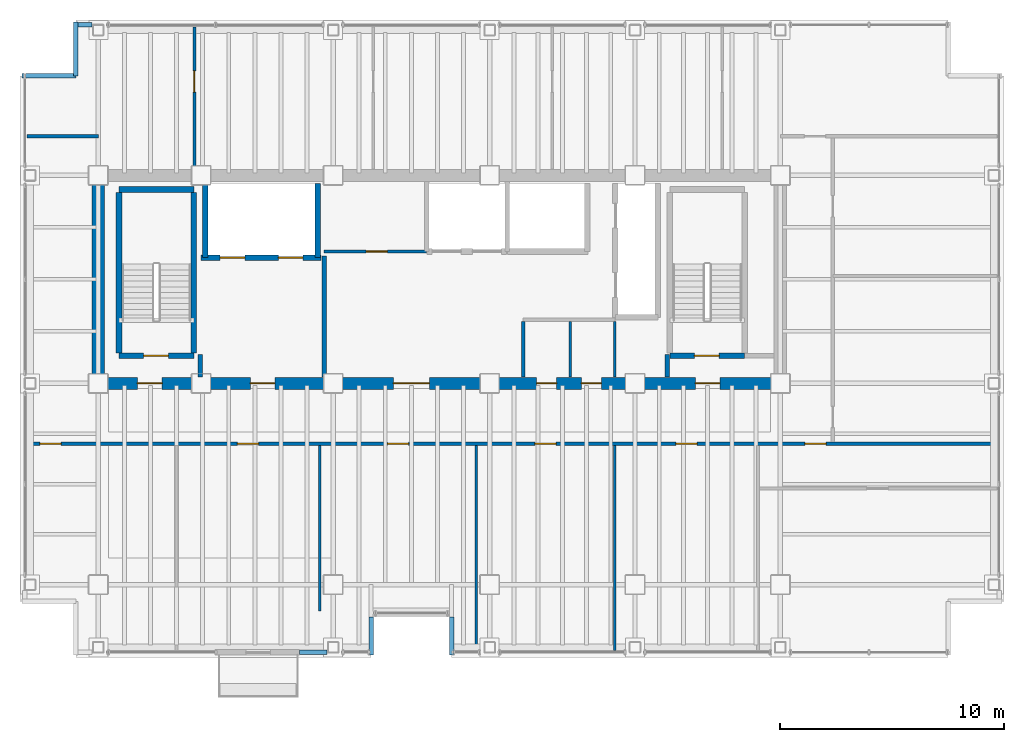
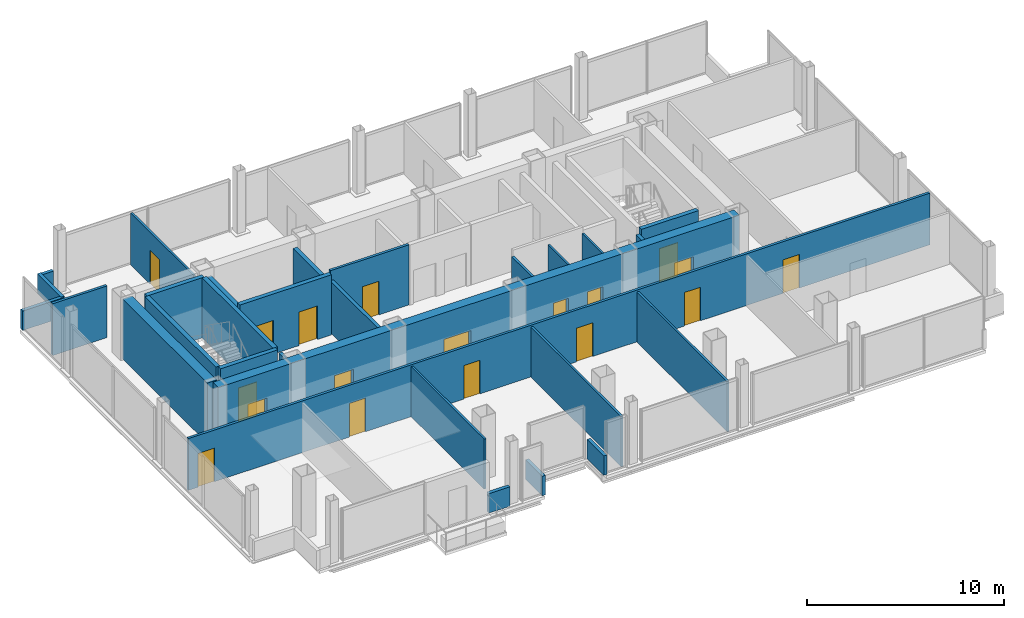
# One storey, part 13 of 15: 29 walls, 18 doors, 18 openings.
"""IFC4 building model written with IfcOpenShell, lengths in metres."""

from ifc_helpers import new_model, si_unit, direction, frame, frame_2d, origin, place, context, subcontext, project, spatial, rectangle, extrude, material, layer, layer_set, type_object, element, fill, save


model = new_model("IFC4")

# Units and contexts
model_context = context("Model", 3, precision=1e-05, world=origin(), true_north=direction((0.0, 1.0)))
body_context = subcontext(model_context, "Body", "Model", "MODEL_VIEW")
ifc_project = project(units=[si_unit("LENGTHUNIT", "METRE"), si_unit("AREAUNIT", "SQUARE_METRE"), si_unit("VOLUMEUNIT", "CUBIC_METRE"), si_unit("PLANEANGLEUNIT", "RADIAN"), si_unit("MASSUNIT", "GRAM", prefix="KILO")], contexts=[model_context])

# Site, building, storey
site_placement = place(None, origin())
site = spatial("IfcSite", under=ifc_project, at=site_placement, CompositionType="ELEMENT")
building_placement = place(site_placement, origin())
building = spatial("IfcBuilding", under=site, at=building_placement, Name="Noeulbin Bourse Tower", CompositionType="ELEMENT")
storey_placement = place(building_placement, frame((0.0, 0.0, 173.39990234375)))
storey = spatial("IfcBuildingStorey", under=building, at=storey_placement, Name="L43", CompositionType="ELEMENT", Elevation=173.39990234375)

# Wall, openings, doors
ifc_material_1 = material(Name="Concrete C60/75", Category="concrete")
ifc_layer_1 = layer(ifc_material_1, 0.550048828125)
ifc_layer_set_1 = layer_set([ifc_layer_1], Name="Concrete C60/75")
wall_type_1 = type_object("IfcWallType", Name="WAL-CORE-550", PredefinedType="SHEAR", material=ifc_layer_set_1)
wall_1_placement = place(storey_placement, frame((13.5, 29.0, 0.0), z_axis=(0.0, 0.0, 1.0), x_axis=(1.0, 0.0, 0.0)))
wall_1 = element("IfcWall", 1, at=wall_1_placement, inside=storey, type_object=wall_type_1, Name="Rear Core South Shear Wall L43", PredefinedType="SHEAR", context=body_context, shape_type="SweptSolid", body=[
    extrude(rectangle(XDim=30.5, YDim=0.550048828125, at=frame_2d((15.25, 0.0))), origin(), (0.0, 0.0, 1.0), 3.72021484375),
])
opening_1_placement = place(wall_1_placement, frame((1.75, 0.0, 0.0)))
opening_1 = element("IfcOpeningElement", 2, at=opening_1_placement, cuts=wall_1, Name="Opening FD-11", PredefinedType="OPENING", context=body_context, shape_type="SweptSolid", body=[
    extrude(rectangle(XDim=1.10009765625, YDim=2.080078125, at=frame_2d((0.550048828125, 1.0400390625))), frame((0.0, 0.284912109375, 0.0), z_axis=(0.0, -1.0, 0.0), x_axis=(1.0, 0.0, 0.0)), (0.0, 0.0, 1.0), 0.570068359375),
])
opening_2_placement = place(wall_1_placement, frame((26.699951171875, 0.0, 0.0)))
opening_2 = element("IfcOpeningElement", 3, at=opening_2_placement, cuts=wall_1, Name="Opening FD-11", PredefinedType="OPENING", context=body_context, shape_type="SweptSolid", body=[
    extrude(rectangle(XDim=1.10009765625, YDim=2.080078125, at=frame_2d((0.550048828125, 1.0400390625))), frame((0.0, 0.284912109375, 0.0), z_axis=(0.0, -1.0, 0.0), x_axis=(1.0, 0.0, 0.0)), (0.0, 0.0, 1.0), 0.570068359375),
])
opening_3_placement = place(wall_1_placement, frame((6.800048828125, 0.0, 0.0)))
opening_3 = element("IfcOpeningElement", 4, at=opening_3_placement, cuts=wall_1, Name="Opening FD-11", PredefinedType="OPENING", context=body_context, shape_type="SweptSolid", body=[
    extrude(rectangle(XDim=1.10009765625, YDim=2.080078125, at=frame_2d((0.550048828125, 1.0400390625))), frame((0.0, 0.284912109375, 0.0), z_axis=(0.0, -1.0, 0.0), x_axis=(1.0, 0.0, 0.0)), (0.0, 0.0, 1.0), 0.570068359375),
])
opening_4_placement = place(wall_1_placement, frame((13.199951171875, 0.0, 0.0)))
opening_4 = element("IfcOpeningElement", 5, at=opening_4_placement, cuts=wall_1, Name="Opening ID-16", PredefinedType="OPENING", context=body_context, shape_type="SweptSolid", body=[
    extrude(rectangle(XDim=1.60009765625, YDim=2.080078125, at=frame_2d((0.800048828125, 1.0400390625))), frame((0.0, 0.284912109375, 0.0), z_axis=(0.0, -1.0, 0.0), x_axis=(1.0, 0.0, 0.0)), (0.0, 0.0, 1.0), 0.570068359375),
])
opening_5_placement = place(wall_1_placement, frame((19.60009765625, 0.0, 0.0)))
opening_5 = element("IfcOpeningElement", 6, at=opening_5_placement, cuts=wall_1, Name="Opening FD-09", PredefinedType="OPENING", context=body_context, shape_type="SweptSolid", body=[
    extrude(rectangle(XDim=0.89990234375, YDim=2.080078125, at=frame_2d((0.449951171875, 1.0400390625))), frame((0.0, 0.284912109375, 0.0), z_axis=(0.0, -1.0, 0.0), x_axis=(1.0, 0.0, 0.0)), (0.0, 0.0, 1.0), 0.570068359375),
])
opening_6_placement = place(wall_1_placement, frame((21.60009765625, 0.0, 0.0)))
opening_6 = element("IfcOpeningElement", 7, at=opening_6_placement, cuts=wall_1, Name="Opening FD-09", PredefinedType="OPENING", context=body_context, shape_type="SweptSolid", body=[
    extrude(rectangle(XDim=0.89990234375, YDim=2.080078125, at=frame_2d((0.449951171875, 1.0400390625))), frame((0.0, 0.284912109375, 0.0), z_axis=(0.0, -1.0, 0.0), x_axis=(1.0, 0.0, 0.0)), (0.0, 0.0, 1.0), 0.570068359375),
])
ifc_material_2 = material(Name="Acoustic Glazed Aluminium", Category="aluminium")
door_type_1 = type_object("IfcDoorType", Name="DR-DBL-1600", OperationType="DOUBLE_DOOR_SINGLE_SWING", PredefinedType="DOOR", material=ifc_material_2)
door_1_placement = place(opening_4_placement, origin())
door_1 = element("IfcDoor", 8, at=door_1_placement, inside=storey, type_object=door_type_1, Name="Passenger Lift Lobby Portal L43", OperationType="DOUBLE_DOOR_SINGLE_SWING", OverallHeight=2.080078125, OverallWidth=1.60009765625, PredefinedType="DOOR", context=body_context, shape_type="SweptSolid", body=[
    extrude(rectangle(XDim=1.60009765625, YDim=2.080078125, at=frame_2d((0.800048828125, 1.0400390625))), frame((0.0, 0.02490234375, 0.0), z_axis=(0.0, -1.0, 0.0), x_axis=(1.0, 0.0, 0.0)), (0.0, 0.0, 1.0), 0.050048828125),
])
fill(opening_4, door_1)
ifc_material_3 = material(Name="Fire-Rated Timber Core", Category="wood")
door_type_2 = type_object("IfcDoorType", Name="DR-FD30-900", OperationType="SINGLE_SWING_RIGHT", PredefinedType="DOOR", material=ifc_material_3)
door_2_placement = place(opening_5_placement, origin())
door_2 = element("IfcDoor", 9, at=door_2_placement, inside=storey, type_object=door_type_2, Name="Interior Door L43-06", OperationType="SINGLE_SWING_RIGHT", OverallHeight=2.080078125, OverallWidth=0.89990234375, PredefinedType="DOOR", context=body_context, shape_type="SweptSolid", body=[
    extrude(rectangle(XDim=0.89990234375, YDim=2.080078125, at=frame_2d((0.449951171875, 1.0400390625))), frame((0.0, 0.02490234375, 0.0), z_axis=(0.0, -1.0, 0.0), x_axis=(1.0, 0.0, 0.0)), (0.0, 0.0, 1.0), 0.050048828125),
])
fill(opening_5, door_2)
door_3_placement = place(opening_6_placement, origin())
door_3 = element("IfcDoor", 10, at=door_3_placement, inside=storey, type_object=door_type_2, Name="Interior Door L43-07", OperationType="SINGLE_SWING_LEFT", OverallHeight=2.080078125, OverallWidth=0.89990234375, PredefinedType="DOOR", context=body_context, shape_type="SweptSolid", body=[
    extrude(rectangle(XDim=0.89990234375, YDim=2.080078125, at=frame_2d((0.449951171875, 1.0400390625))), frame((0.0, 0.02490234375, 0.0), z_axis=(0.0, -1.0, 0.0), x_axis=(1.0, 0.0, 0.0)), (0.0, 0.0, 1.0), 0.050048828125),
])
fill(opening_6, door_3)
ifc_material_4 = material(Name="Fire-Rated Insulated Steel", Category="steel")
door_type_3 = type_object("IfcDoorType", Name="DR-FD60-1100", OperationType="SINGLE_SWING_LEFT", PredefinedType="DOOR", material=ifc_material_4)
door_4_placement = place(opening_1_placement, origin())
door_4 = element("IfcDoor", 11, at=door_4_placement, inside=storey, type_object=door_type_3, Name="West Stair Lobby Door L43", OperationType="SINGLE_SWING_LEFT", OverallHeight=2.080078125, OverallWidth=1.10009765625, PredefinedType="DOOR", context=body_context, shape_type="SweptSolid", body=[
    extrude(rectangle(XDim=1.10009765625, YDim=2.080078125, at=frame_2d((0.550048828125, 1.0400390625))), frame((0.0, 0.02490234375, 0.0), z_axis=(0.0, -1.0, 0.0), x_axis=(1.0, 0.0, 0.0)), (0.0, 0.0, 1.0), 0.050048828125),
])
fill(opening_1, door_4)
door_5_placement = place(opening_2_placement, origin())
door_5 = element("IfcDoor", 12, at=door_5_placement, inside=storey, type_object=door_type_3, Name="East Stair Lobby Door L43", OperationType="SINGLE_SWING_RIGHT", OverallHeight=2.080078125, OverallWidth=1.10009765625, PredefinedType="DOOR", context=body_context, shape_type="SweptSolid", body=[
    extrude(rectangle(XDim=1.10009765625, YDim=2.080078125, at=frame_2d((0.550048828125, 1.0400390625))), frame((0.0, 0.02490234375, 0.0), z_axis=(0.0, -1.0, 0.0), x_axis=(1.0, 0.0, 0.0)), (0.0, 0.0, 1.0), 0.050048828125),
])
fill(opening_2, door_5)
door_6_placement = place(opening_3_placement, origin())
door_6 = element("IfcDoor", 13, at=door_6_placement, inside=storey, type_object=door_type_3, Name="Firefighting Lobby Door L43", OperationType="SINGLE_SWING_LEFT", OverallHeight=2.080078125, OverallWidth=1.10009765625, PredefinedType="DOOR", context=body_context, shape_type="SweptSolid", body=[
    extrude(rectangle(XDim=1.10009765625, YDim=2.080078125, at=frame_2d((0.550048828125, 1.0400390625))), frame((0.0, 0.02490234375, 0.0), z_axis=(0.0, -1.0, 0.0), x_axis=(1.0, 0.0, 0.0)), (0.0, 0.0, 1.0), 0.050048828125),
])
fill(opening_3, door_6)

# Walls
wall_2_placement = place(storey_placement, frame((13.5, 29.35009765625, 0.0), z_axis=(0.0, 0.0, 1.0), x_axis=(0.0, 1.0, 0.0)))
element("IfcWall", 14, at=wall_2_placement, inside=storey, type_object=wall_type_1, Name="Rear Core West Shear Wall L43", PredefinedType="SHEAR", context=body_context, shape_type="SweptSolid", body=[
    extrude(rectangle(XDim=8.599853515625, YDim=0.550048828125, at=frame_2d((4.2998046875, 0.0))), origin(), (0.0, 0.0, 1.0), 3.72021484375),
])
ifc_material_5 = material(Name="Concrete C40/50", Category="concrete")
ifc_layer_2 = layer(ifc_material_5, 0.199951171875)
ifc_layer_set_2 = layer_set([ifc_layer_2], Name="Concrete C40/50")
wall_type_2 = type_object("IfcWallType", Name="WAL-FIRE-200", PredefinedType="STANDARD", material=ifc_layer_set_2)
for number, where, z_axis, x_axis, name in (
    (15, (18.050048828125, 29.284912109375, 0.0), (0.0, 0.0, 1.0), (0.0, 1.0, 0.0), "Interior Partition Wall L43-09"),
    (16, (38.949951171875, 29.284912109375, 0.0), (0.0, 0.0, 1.0), (0.0, 1.0, 0.0), "Interior Partition Wall L43-10"),
):
    element("IfcWall", number, at=place(storey_placement, frame(where, z_axis=z_axis, x_axis=x_axis)), inside=storey, type_object=wall_type_2, Name=name, PredefinedType="STANDARD", context=body_context, shape_type="SweptSolid", body=[
        extrude(rectangle(XDim=1.01513671875, YDim=0.199951171875, at=frame_2d((0.507568359375, 0.0))), origin(), (0.0, 0.0, 1.0), 3.35009765625),
    ])
wall_3_placement = place(storey_placement, frame((23.60009765625, 29.284912109375, 0.0), z_axis=(0.0, 0.0, 1.0), x_axis=(0.0, 1.0, 0.0)))
element("IfcWall", 17, at=wall_3_placement, inside=storey, type_object=wall_type_2, Name="Interior Partition Wall L43-11", PredefinedType="STANDARD", context=body_context, shape_type="SweptSolid", body=[
    extrude(rectangle(XDim=5.4150390625, YDim=0.199951171875, at=frame_2d((2.70751953125, 0.0))), origin(), (0.0, 0.0, 1.0), 3.2001953125),
])
ifc_layer_3 = layer(ifc_material_5, 0.199951171875)
ifc_layer_set_3 = layer_set([ifc_layer_3], Name="Concrete C40/50")
wall_type_3 = type_object("IfcWallType", Name="WAL-PAR-200", PredefinedType="PARAPET", material=ifc_layer_set_3)
wall_4_placement = place(storey_placement, frame((12.60009765625, 45.030029296875, 0.0), z_axis=(0.0, 0.0, 1.0), x_axis=(1.0, 0.0, 0.0)))
element("IfcWall", 18, at=wall_4_placement, inside=storey, type_object=wall_type_3, Name="Perimeter Pier Spandrel Parapet L43-N1", PredefinedType="PARAPET", context=body_context, shape_type="SweptSolid", body=[
    extrude(rectangle(XDim=0.6298828125, YDim=0.199951171875, at=frame_2d((0.31494140625, 0.0))), origin(), (0.0, 0.0, 1.0), 1.2001953125),
])
wall_5_placement = place(storey_placement, frame((22.5, 16.969970703125, 0.0), z_axis=(0.0, 0.0, 1.0), x_axis=(1.0, 0.0, 0.0)))
element("IfcWall", 19, at=wall_5_placement, inside=storey, type_object=wall_type_3, Name="Perimeter Pier Spandrel Parapet L43-S5", PredefinedType="PARAPET", context=body_context, shape_type="SweptSolid", body=[
    extrude(rectangle(XDim=1.22998046875, YDim=0.199951171875, at=frame_2d((0.614990234375, 0.0))), origin(), (0.0, 0.0, 1.0), 1.2001953125),
])
for number, where, z_axis, x_axis, name in (
    (20, (10.10009765625, 42.75, 0.0), (0.0, 0.0, 1.0), (1.0, 0.0, 0.0), "Corner Notch Parapet L43-NW1"),
    (21, (12.5, 42.75, 0.0), (0.0, 0.0, 1.0), (0.0, 1.0, 0.0), "Corner Notch Parapet L43-NW2"),
):
    element("IfcWall", number, at=place(storey_placement, frame(where, z_axis=z_axis, x_axis=x_axis)), inside=storey, type_object=wall_type_3, Name=name, PredefinedType="PARAPET", context=body_context, shape_type="SweptSolid", body=[
        extrude(rectangle(XDim=2.39990234375, YDim=0.199951171875, at=frame_2d((1.199951171875, 0.0))), origin(), (0.0, 0.0, 1.0), 1.2001953125),
    ])
for number, where, z_axis, x_axis, name in (
    (22, (25.699951171875, 16.85009765625, 0.0), (0.0, 0.0, 1.0), (0.0, 1.0, 0.0), "Sky-Garden Recess Parapet L43-W"),
    (23, (29.300048828125, 18.550048828125, 0.0), (0.0, 0.0, 1.0), (0.0, -1.0, 0.0), "Sky-Garden Recess Parapet L43-E"),
):
    element("IfcWall", number, at=place(storey_placement, frame(where, z_axis=z_axis, x_axis=x_axis)), inside=storey, type_object=wall_type_3, Name=name, PredefinedType="PARAPET", context=body_context, shape_type="SweptSolid", body=[
        extrude(rectangle(XDim=1.699951171875, YDim=0.199951171875, at=frame_2d((0.85009765625, 0.0))), origin(), (0.0, 0.0, 1.0), 1.2001953125),
    ])
ifc_material_6 = material(Name="Steel Stud Gypsum Partition", Category="steel")
ifc_layer_4 = layer(ifc_material_6, 0.1201171875)
ifc_layer_set_4 = layer_set([ifc_layer_4], Name="Steel Stud Gypsum Partition")
wall_type_4 = type_object("IfcWallType", Name="WAL-PRT-120", PredefinedType="PARTITIONING", material=ifc_layer_set_4)
for number, where, z_axis, x_axis, name in (
    (24, (36.60009765625, 29.284912109375, 0.0), (0.0, 0.0, 1.0), (0.0, 1.0, 0.0), "Interior Partition Wall L43-13"),
    (25, (34.60009765625, 29.284912109375, 0.0), (0.0, 0.0, 1.0), (0.0, 1.0, 0.0), "Interior Partition Wall L43-14"),
):
    element("IfcWall", number, at=place(storey_placement, frame(where, z_axis=z_axis, x_axis=x_axis)), inside=storey, type_object=wall_type_4, Name=name, PredefinedType="PARTITIONING", context=body_context, shape_type="SweptSolid", body=[
        extrude(rectangle(XDim=2.47998046875, YDim=0.1201171875, at=frame_2d((1.239990234375, 0.0))), origin(), (0.0, 0.0, 1.0), 3.35009765625),
    ])
wall_6_placement = place(storey_placement, frame((23.39990234375, 18.820068359375, 0.0), z_axis=(0.0, 0.0, 1.0), x_axis=(0.0, 1.0, 0.0)))
element("IfcWall", 26, at=wall_6_placement, inside=storey, type_object=wall_type_4, Name="Interior Partition Wall L43-17", PredefinedType="PARTITIONING", context=body_context, shape_type="SweptSolid", body=[
    extrude(rectangle(XDim=7.39501953125, YDim=0.1201171875, at=frame_2d((3.697509765625, 0.0))), origin(), (0.0, 0.0, 1.0), 3.10009765625),
])
for number, where, z_axis, x_axis, name in (
    (27, (30.39990234375, 17.06005859375, 0.0), (0.0, 0.0, 1.0), (0.0, 1.0, 0.0), "Interior Partition Wall L43-18"),
    (28, (36.60009765625, 17.06005859375, 0.0), (0.0, 0.0, 1.0), (0.0, 1.0, 0.0), "Interior Partition Wall L43-19"),
):
    element("IfcWall", number, at=place(storey_placement, frame(where, z_axis=z_axis, x_axis=x_axis)), inside=storey, type_object=wall_type_4, Name=name, PredefinedType="PARTITIONING", context=body_context, shape_type="SweptSolid", body=[
        extrude(rectangle(XDim=9.155029296875, YDim=0.1201171875, at=frame_2d((4.57763671875, 0.0))), origin(), (0.0, 0.0, 1.0), 3.10009765625),
    ])

# Wall, opening, door
wall_7_placement = place(storey_placement, frame((17.800048828125, 38.5849609375, 0.0), z_axis=(0.0, 0.0, 1.0), x_axis=(0.0, 1.0, 0.0)))
wall_7 = element("IfcWall", 29, at=wall_7_placement, inside=storey, type_object=wall_type_4, Name="Interior Partition Wall L43-21", PredefinedType="PARTITIONING", context=body_context, shape_type="SweptSolid", body=[
    extrude(rectangle(XDim=6.35498046875, YDim=0.1201171875, at=frame_2d((3.177490234375, 0.0))), origin(), (0.0, 0.0, 1.0), 3.212158203125),
])
opening_7_placement = place(wall_7_placement, frame((3.43505859375, 0.0, 0.0)))
opening_7 = element("IfcOpeningElement", 30, at=opening_7_placement, cuts=wall_7, Name="Opening ID-09", PredefinedType="OPENING", context=body_context, shape_type="SweptSolid", body=[
    extrude(rectangle(XDim=0.949951171875, YDim=2.080078125, at=frame_2d((0.47509765625, 1.0400390625))), frame((0.0, 0.070068359375, 0.0), z_axis=(0.0, -1.0, 0.0), x_axis=(1.0, 0.0, 0.0)), (0.0, 0.0, 1.0), 0.14013671875),
])
ifc_material_7 = material(Name="Acoustic Solid-Core Timber", Category="wood")
door_type_4 = type_object("IfcDoorType", Name="DR-SINGLE-950", OperationType="SINGLE_SWING_LEFT", PredefinedType="DOOR", material=ifc_material_7)
door_7_placement = place(opening_7_placement, origin())
door_7 = element("IfcDoor", 31, at=door_7_placement, inside=storey, type_object=door_type_4, Name="Interior Door L43-18", OperationType="SINGLE_SWING_RIGHT", OverallHeight=2.080078125, OverallWidth=0.949951171875, PredefinedType="DOOR", context=body_context, shape_type="SweptSolid", body=[
    extrude(rectangle(XDim=0.949951171875, YDim=2.080078125, at=frame_2d((0.47509765625, 1.0400390625))), frame((0.0, 0.02490234375, 0.0), z_axis=(0.0, -1.0, 0.0), x_axis=(1.0, 0.0, 0.0)), (0.0, 0.0, 1.0), 0.050048828125),
])
fill(opening_7, door_7)

ifc_material_8 = material(Name="Steel Stud Acoustic Gypsum Board", Category="steel")
ifc_layer_5 = layer(ifc_material_8, 0.14990234375)
ifc_layer_set_5 = layer_set([ifc_layer_5], Name="Steel Stud Acoustic Gypsum Board")
wall_type_5 = type_object("IfcWallType", Name="WAL-PRT-150", PredefinedType="PARTITIONING", material=ifc_layer_set_5)
wall_8_placement = place(storey_placement, frame((23.60009765625, 34.89990234375, 0.0), z_axis=(0.0, 0.0, 1.0), x_axis=(1.0, 0.0, 0.0)))
wall_8 = element("IfcWall", 32, at=wall_8_placement, inside=storey, type_object=wall_type_5, Name="Interior Partition Wall L43-02", PredefinedType="PARTITIONING", context=body_context, shape_type="SweptSolid", body=[
    extrude(rectangle(XDim=4.579833984375, YDim=0.14990234375, at=frame_2d((2.2900390625, 0.0))), origin(), (0.0, 0.0, 1.0), 3.72021484375),
])
opening_8_placement = place(wall_8_placement, frame((1.875, 0.0, 0.0)))
opening_8 = element("IfcOpeningElement", 33, at=opening_8_placement, cuts=wall_8, Name="Opening ID-09", PredefinedType="OPENING", context=body_context, shape_type="SweptSolid", body=[
    extrude(rectangle(XDim=0.949951171875, YDim=2.080078125, at=frame_2d((0.47509765625, 1.0400390625))), frame((0.0, 0.0849609375, 0.0), z_axis=(0.0, -1.0, 0.0), x_axis=(1.0, 0.0, 0.0)), (0.0, 0.0, 1.0), 0.169921875),
])
door_8_placement = place(opening_8_placement, origin())
door_8 = element("IfcDoor", 34, at=door_8_placement, inside=storey, type_object=door_type_4, Name="Archive Room Door L43", OperationType="SINGLE_SWING_LEFT", OverallHeight=2.080078125, OverallWidth=0.949951171875, PredefinedType="DOOR", context=body_context, shape_type="SweptSolid", body=[
    extrude(rectangle(XDim=0.949951171875, YDim=2.080078125, at=frame_2d((0.47509765625, 1.0400390625))), frame((0.0, 0.02490234375, 0.0), z_axis=(0.0, -1.0, 0.0), x_axis=(1.0, 0.0, 0.0)), (0.0, 0.0, 1.0), 0.050048828125),
])
fill(opening_8, door_8)

# Wall, openings, doors
wall_9_placement = place(storey_placement, frame((10.31005859375, 26.300048828125, 0.0), z_axis=(0.0, 0.0, 1.0), x_axis=(1.0, 0.0, 0.0)))
wall_9 = element("IfcWall", 35, at=wall_9_placement, inside=storey, type_object=wall_type_5, Name="Interior Partition Wall L43-04", PredefinedType="PARTITIONING", context=body_context, shape_type="SweptSolid", body=[
    extrude(rectangle(XDim=43.3798828125, YDim=0.14990234375, at=frame_2d((21.68994140625, 0.0))), origin(), (0.0, 0.0, 1.0), 3.2001953125),
])
opening_9_placement = place(wall_9_placement, frame((0.574951171875, 0.0, 0.0)))
opening_9 = element("IfcOpeningElement", 36, at=opening_9_placement, cuts=wall_9, Name="Opening ID-09", PredefinedType="OPENING", context=body_context, shape_type="SweptSolid", body=[
    extrude(rectangle(XDim=0.949951171875, YDim=2.080078125, at=frame_2d((0.47509765625, 1.0400390625))), frame((0.0, 0.0849609375, 0.0), z_axis=(0.0, -1.0, 0.0), x_axis=(1.0, 0.0, 0.0)), (0.0, 0.0, 1.0), 0.169921875),
])
opening_10_placement = place(wall_9_placement, frame((9.4150390625, 0.0, 0.0)))
opening_10 = element("IfcOpeningElement", 37, at=opening_10_placement, cuts=wall_9, Name="Opening ID-09", PredefinedType="OPENING", context=body_context, shape_type="SweptSolid", body=[
    extrude(rectangle(XDim=0.949951171875, YDim=2.080078125, at=frame_2d((0.47509765625, 1.0400390625))), frame((0.0, 0.0849609375, 0.0), z_axis=(0.0, -1.0, 0.0), x_axis=(1.0, 0.0, 0.0)), (0.0, 0.0, 1.0), 0.169921875),
])
opening_11_placement = place(wall_9_placement, frame((16.114990234375, 0.0, 0.0)))
opening_11 = element("IfcOpeningElement", 38, at=opening_11_placement, cuts=wall_9, Name="Opening ID-09", PredefinedType="OPENING", context=body_context, shape_type="SweptSolid", body=[
    extrude(rectangle(XDim=0.949951171875, YDim=2.080078125, at=frame_2d((0.47509765625, 1.0400390625))), frame((0.0, 0.0849609375, 0.0), z_axis=(0.0, -1.0, 0.0), x_axis=(1.0, 0.0, 0.0)), (0.0, 0.0, 1.0), 0.169921875),
])
opening_12_placement = place(wall_9_placement, frame((22.715087890625, 0.0, 0.0)))
opening_12 = element("IfcOpeningElement", 39, at=opening_12_placement, cuts=wall_9, Name="Opening ID-09", PredefinedType="OPENING", context=body_context, shape_type="SweptSolid", body=[
    extrude(rectangle(XDim=0.949951171875, YDim=2.080078125, at=frame_2d((0.47509765625, 1.0400390625))), frame((0.0, 0.0849609375, 0.0), z_axis=(0.0, -1.0, 0.0), x_axis=(1.0, 0.0, 0.0)), (0.0, 0.0, 1.0), 0.169921875),
])
opening_13_placement = place(wall_9_placement, frame((29.014892578125, 0.0, 0.0)))
opening_13 = element("IfcOpeningElement", 40, at=opening_13_placement, cuts=wall_9, Name="Opening ID-09", PredefinedType="OPENING", context=body_context, shape_type="SweptSolid", body=[
    extrude(rectangle(XDim=0.949951171875, YDim=2.080078125, at=frame_2d((0.47509765625, 1.0400390625))), frame((0.0, 0.0849609375, 0.0), z_axis=(0.0, -1.0, 0.0), x_axis=(1.0, 0.0, 0.0)), (0.0, 0.0, 1.0), 0.169921875),
])
opening_14_placement = place(wall_9_placement, frame((34.7900390625, 0.0, 0.0)))
opening_14 = element("IfcOpeningElement", 41, at=opening_14_placement, cuts=wall_9, Name="Opening ID-09", PredefinedType="OPENING", context=body_context, shape_type="SweptSolid", body=[
    extrude(rectangle(XDim=0.949951171875, YDim=2.080078125, at=frame_2d((0.47509765625, 1.0400390625))), frame((0.0, 0.0849609375, 0.0), z_axis=(0.0, -1.0, 0.0), x_axis=(1.0, 0.0, 0.0)), (0.0, 0.0, 1.0), 0.169921875),
])
door_9_placement = place(opening_9_placement, origin())
door_9 = element("IfcDoor", 42, at=door_9_placement, inside=storey, type_object=door_type_4, Name="Interior Door L43-08", OperationType="SINGLE_SWING_RIGHT", OverallHeight=2.080078125, OverallWidth=0.949951171875, PredefinedType="DOOR", context=body_context, shape_type="SweptSolid", body=[
    extrude(rectangle(XDim=0.949951171875, YDim=2.080078125, at=frame_2d((0.47509765625, 1.0400390625))), frame((0.0, 0.02490234375, 0.0), z_axis=(0.0, -1.0, 0.0), x_axis=(1.0, 0.0, 0.0)), (0.0, 0.0, 1.0), 0.050048828125),
])
fill(opening_9, door_9)
door_10_placement = place(opening_10_placement, origin())
door_10 = element("IfcDoor", 43, at=door_10_placement, inside=storey, type_object=door_type_4, Name="Interior Door L43-09", OperationType="SINGLE_SWING_LEFT", OverallHeight=2.080078125, OverallWidth=0.949951171875, PredefinedType="DOOR", context=body_context, shape_type="SweptSolid", body=[
    extrude(rectangle(XDim=0.949951171875, YDim=2.080078125, at=frame_2d((0.47509765625, 1.0400390625))), frame((0.0, 0.02490234375, 0.0), z_axis=(0.0, -1.0, 0.0), x_axis=(1.0, 0.0, 0.0)), (0.0, 0.0, 1.0), 0.050048828125),
])
fill(opening_10, door_10)
door_11_placement = place(opening_11_placement, origin())
door_11 = element("IfcDoor", 44, at=door_11_placement, inside=storey, type_object=door_type_4, Name="Interior Door L43-10", OperationType="SINGLE_SWING_RIGHT", OverallHeight=2.080078125, OverallWidth=0.949951171875, PredefinedType="DOOR", context=body_context, shape_type="SweptSolid", body=[
    extrude(rectangle(XDim=0.949951171875, YDim=2.080078125, at=frame_2d((0.47509765625, 1.0400390625))), frame((0.0, 0.02490234375, 0.0), z_axis=(0.0, -1.0, 0.0), x_axis=(1.0, 0.0, 0.0)), (0.0, 0.0, 1.0), 0.050048828125),
])
fill(opening_11, door_11)
door_12_placement = place(opening_12_placement, origin())
door_12 = element("IfcDoor", 45, at=door_12_placement, inside=storey, type_object=door_type_4, Name="Interior Door L43-11", OperationType="SINGLE_SWING_LEFT", OverallHeight=2.080078125, OverallWidth=0.949951171875, PredefinedType="DOOR", context=body_context, shape_type="SweptSolid", body=[
    extrude(rectangle(XDim=0.949951171875, YDim=2.080078125, at=frame_2d((0.47509765625, 1.0400390625))), frame((0.0, 0.02490234375, 0.0), z_axis=(0.0, -1.0, 0.0), x_axis=(1.0, 0.0, 0.0)), (0.0, 0.0, 1.0), 0.050048828125),
])
fill(opening_12, door_12)
door_13_placement = place(opening_13_placement, origin())
door_13 = element("IfcDoor", 46, at=door_13_placement, inside=storey, type_object=door_type_4, Name="Interior Door L43-12", OperationType="SINGLE_SWING_RIGHT", OverallHeight=2.080078125, OverallWidth=0.949951171875, PredefinedType="DOOR", context=body_context, shape_type="SweptSolid", body=[
    extrude(rectangle(XDim=0.949951171875, YDim=2.080078125, at=frame_2d((0.47509765625, 1.0400390625))), frame((0.0, 0.02490234375, 0.0), z_axis=(0.0, -1.0, 0.0), x_axis=(1.0, 0.0, 0.0)), (0.0, 0.0, 1.0), 0.050048828125),
])
fill(opening_13, door_13)
door_14_placement = place(opening_14_placement, origin())
door_14 = element("IfcDoor", 47, at=door_14_placement, inside=storey, type_object=door_type_4, Name="Interior Door L43-14", OperationType="SINGLE_SWING_RIGHT", OverallHeight=2.080078125, OverallWidth=0.949951171875, PredefinedType="DOOR", context=body_context, shape_type="SweptSolid", body=[
    extrude(rectangle(XDim=0.949951171875, YDim=2.080078125, at=frame_2d((0.47509765625, 1.0400390625))), frame((0.0, 0.02490234375, 0.0), z_axis=(0.0, -1.0, 0.0), x_axis=(1.0, 0.0, 0.0)), (0.0, 0.0, 1.0), 0.050048828125),
])
fill(opening_14, door_14)

# Walls
wall_10_placement = place(storey_placement, frame((10.31005859375, 40.050048828125, 0.0), z_axis=(0.0, 0.0, 1.0), x_axis=(1.0, 0.0, 0.0)))
element("IfcWall", 48, at=wall_10_placement, inside=storey, type_object=wall_type_5, Name="Interior Partition Wall L43-07", PredefinedType="PARTITIONING", context=body_context, shape_type="SweptSolid", body=[
    extrude(rectangle(XDim=3.18994140625, YDim=0.14990234375, at=frame_2d((1.594970703125, 0.0))), origin(), (0.0, 0.0, 1.0), 3.2001953125),
])
wall_11_placement = place(storey_placement, frame((32.5, 29.284912109375, 0.0), z_axis=(0.0, 0.0, 1.0), x_axis=(0.0, 1.0, 0.0)))
element("IfcWall", 49, at=wall_11_placement, inside=storey, type_object=wall_type_5, Name="Interior Partition Wall L43-12", PredefinedType="PARTITIONING", context=body_context, shape_type="SweptSolid", body=[
    extrude(rectangle(XDim=2.47998046875, YDim=0.14990234375, at=frame_2d((1.239990234375, 0.0))), origin(), (0.0, 0.0, 1.0), 3.35009765625),
])

# Wall, opening, door
ifc_layer_6 = layer(ifc_material_5, 0.25)
ifc_layer_set_6 = layer_set([ifc_layer_6], Name="Concrete C40/50")
wall_type_6 = type_object("IfcWallType", Name="WAL-SHFT-250", PredefinedType="STANDARD", material=ifc_layer_set_6)
wall_12_placement = place(storey_placement, frame((14.429931640625, 30.235107421875, 0.0), z_axis=(0.0, 0.0, 1.0), x_axis=(1.0, 0.0, 0.0)))
wall_12 = element("IfcWall", 50, at=wall_12_placement, inside=storey, type_object=wall_type_6, Name="Stair ST-1 South Shaft Wall L43", PredefinedType="STANDARD", context=body_context, shape_type="SweptSolid", body=[
    extrude(rectangle(XDim=3.340087890625, YDim=0.25, at=frame_2d((1.669921875, 0.0))), origin(), (0.0, 0.0, 1.0), 3.72021484375),
])
opening_15_placement = place(wall_12_placement, frame((1.10009765625, 0.0, 0.0)))
opening_15 = element("IfcOpeningElement", 51, at=opening_15_placement, cuts=wall_12, Name="Opening FD-11", PredefinedType="OPENING", context=body_context, shape_type="SweptSolid", body=[
    extrude(rectangle(XDim=1.10009765625, YDim=2.080078125, at=frame_2d((0.550048828125, 1.0400390625))), frame((0.0, 0.135009765625, 0.0), z_axis=(0.0, -1.0, 0.0), x_axis=(1.0, 0.0, 0.0)), (0.0, 0.0, 1.0), 0.27001953125),
])
door_15_placement = place(opening_15_placement, origin())
door_15 = element("IfcDoor", 52, at=door_15_placement, inside=storey, type_object=door_type_3, Name="Protected Stair Entry Door ST1-L43", OperationType="SINGLE_SWING_LEFT", OverallHeight=2.080078125, OverallWidth=1.10009765625, PredefinedType="DOOR", context=body_context, shape_type="SweptSolid", body=[
    extrude(rectangle(XDim=1.10009765625, YDim=2.080078125, at=frame_2d((0.550048828125, 1.0400390625))), frame((0.0, 0.02490234375, 0.0), z_axis=(0.0, -1.0, 0.0), x_axis=(1.0, 0.0, 0.0)), (0.0, 0.0, 1.0), 0.050048828125),
])
fill(opening_15, door_15)

# Walls
wall_13_placement = place(storey_placement, frame((14.429931640625, 37.6689453125, 0.0), z_axis=(0.0, 0.0, 1.0), x_axis=(1.0, 0.0, 0.0)))
element("IfcWall", 53, at=wall_13_placement, inside=storey, type_object=wall_type_6, Name="Stair ST-1 North Shaft Wall L43", PredefinedType="STANDARD", context=body_context, shape_type="SweptSolid", body=[
    extrude(rectangle(XDim=3.340087890625, YDim=0.25, at=frame_2d((1.669921875, 0.0))), origin(), (0.0, 0.0, 1.0), 3.72021484375),
])
for number, where, z_axis, x_axis, name in (
    (54, (14.425048828125, 30.360107421875, 0.0), (0.0, 0.0, 1.0), (0.0, 1.0, 0.0), "Stair ST-1 West Shaft Wall L43"),
    (55, (17.77490234375, 30.360107421875, 0.0), (0.0, 0.0, 1.0), (0.0, 1.0, 0.0), "Stair ST-1 East Shaft Wall L43"),
):
    element("IfcWall", number, at=place(storey_placement, frame(where, z_axis=z_axis, x_axis=x_axis)), inside=storey, type_object=wall_type_6, Name=name, PredefinedType="STANDARD", context=body_context, shape_type="SweptSolid", body=[
        extrude(rectangle(XDim=7.183837890625, YDim=0.25, at=frame_2d((3.591796875, 0.0))), origin(), (0.0, 0.0, 1.0), 3.72021484375),
    ])

# Wall, opening, door
wall_14_placement = place(storey_placement, frame((39.06005859375, 30.235107421875, 0.0), z_axis=(0.0, 0.0, 1.0), x_axis=(1.0, 0.0, 0.0)))
wall_14 = element("IfcWall", 56, at=wall_14_placement, inside=storey, type_object=wall_type_6, Name="Stair ST-2 South Shaft Wall L43", PredefinedType="STANDARD", context=body_context, shape_type="SweptSolid", body=[
    extrude(rectangle(XDim=3.33984375, YDim=0.25, at=frame_2d((1.669921875, 0.0))), origin(), (0.0, 0.0, 1.0), 3.72021484375),
])
opening_16_placement = place(wall_14_placement, frame((1.10009765625, 0.0, 0.0)))
opening_16 = element("IfcOpeningElement", 57, at=opening_16_placement, cuts=wall_14, Name="Opening FD-11", PredefinedType="OPENING", context=body_context, shape_type="SweptSolid", body=[
    extrude(rectangle(XDim=1.10009765625, YDim=2.080078125, at=frame_2d((0.550048828125, 1.0400390625))), frame((0.0, 0.135009765625, 0.0), z_axis=(0.0, -1.0, 0.0), x_axis=(1.0, 0.0, 0.0)), (0.0, 0.0, 1.0), 0.27001953125),
])
door_16_placement = place(opening_16_placement, origin())
door_16 = element("IfcDoor", 58, at=door_16_placement, inside=storey, type_object=door_type_3, Name="Protected Stair Entry Door ST2-L43", OperationType="SINGLE_SWING_RIGHT", OverallHeight=2.080078125, OverallWidth=1.10009765625, PredefinedType="DOOR", context=body_context, shape_type="SweptSolid", body=[
    extrude(rectangle(XDim=1.10009765625, YDim=2.080078125, at=frame_2d((0.550048828125, 1.0400390625))), frame((0.0, 0.02490234375, 0.0), z_axis=(0.0, -1.0, 0.0), x_axis=(1.0, 0.0, 0.0)), (0.0, 0.0, 1.0), 0.050048828125),
])
fill(opening_16, door_16)

# Wall, openings, doors
wall_15_placement = place(storey_placement, frame((18.10009765625, 34.6201171875, 0.0), z_axis=(0.0, 0.0, 1.0), x_axis=(1.0, 0.0, 0.0)))
wall_15 = element("IfcWall", 59, at=wall_15_placement, inside=storey, type_object=wall_type_6, Name="Firefighting Lift Shaft Front L43", PredefinedType="STANDARD", context=body_context, shape_type="SweptSolid", body=[
    extrude(rectangle(XDim=5.349853515625, YDim=0.25, at=frame_2d((2.6748046875, 0.0))), origin(), (0.0, 0.0, 1.0), 3.72021484375),
])
opening_17_placement = place(wall_15_placement, frame((0.85009765625, 0.0, 0.0)))
opening_17 = element("IfcOpeningElement", 60, at=opening_17_placement, cuts=wall_15, Name="Opening LD-11", PredefinedType="OPENING", context=body_context, shape_type="SweptSolid", body=[
    extrude(rectangle(XDim=1.10009765625, YDim=2.080078125, at=frame_2d((0.550048828125, 1.0400390625))), frame((0.0, 0.135009765625, 0.0), z_axis=(0.0, -1.0, 0.0), x_axis=(1.0, 0.0, 0.0)), (0.0, 0.0, 1.0), 0.27001953125),
])
opening_18_placement = place(wall_15_placement, frame((3.449951171875, 0.0, 0.0)))
opening_18 = element("IfcOpeningElement", 61, at=opening_18_placement, cuts=wall_15, Name="Opening LD-11", PredefinedType="OPENING", context=body_context, shape_type="SweptSolid", body=[
    extrude(rectangle(XDim=1.10009765625, YDim=2.080078125, at=frame_2d((0.550048828125, 1.0400390625))), frame((0.0, 0.135009765625, 0.0), z_axis=(0.0, -1.0, 0.0), x_axis=(1.0, 0.0, 0.0)), (0.0, 0.0, 1.0), 0.27001953125),
])
ifc_material_9 = material(Name="Brushed Stainless Steel 316", Category="steel")
door_type_5 = type_object("IfcDoorType", Name="DR-LIFT-1100", OperationType="SLIDING_TO_LEFT", PredefinedType="DOOR", material=ifc_material_9)
door_17_placement = place(opening_17_placement, origin())
door_17 = element("IfcDoor", 62, at=door_17_placement, inside=storey, type_object=door_type_5, Name="Lift Landing Door LD-FL-01-L43", OperationType="SLIDING_TO_LEFT", OverallHeight=2.080078125, OverallWidth=1.10009765625, PredefinedType="DOOR", context=body_context, shape_type="SweptSolid", body=[
    extrude(rectangle(XDim=1.10009765625, YDim=2.080078125, at=frame_2d((0.550048828125, 1.0400390625))), frame((0.0, 0.02490234375, 0.0), z_axis=(0.0, -1.0, 0.0), x_axis=(1.0, 0.0, 0.0)), (0.0, 0.0, 1.0), 0.050048828125),
])
fill(opening_17, door_17)
door_18_placement = place(opening_18_placement, origin())
door_18 = element("IfcDoor", 63, at=door_18_placement, inside=storey, type_object=door_type_5, Name="Lift Landing Door LD-FL-02-L43", OperationType="SLIDING_TO_LEFT", OverallHeight=2.080078125, OverallWidth=1.10009765625, PredefinedType="DOOR", context=body_context, shape_type="SweptSolid", body=[
    extrude(rectangle(XDim=1.10009765625, YDim=2.080078125, at=frame_2d((0.550048828125, 1.0400390625))), frame((0.0, 0.02490234375, 0.0), z_axis=(0.0, -1.0, 0.0), x_axis=(1.0, 0.0, 0.0)), (0.0, 0.0, 1.0), 0.050048828125),
])
fill(opening_18, door_18)

# Walls
for number, where, z_axis, x_axis, name in (
    (64, (18.280029296875, 34.6201171875, 0.0), (0.0, 0.0, 1.0), (0.0, 1.0, 0.0), "Firefighting Lift West Shaft Wall L43"),
    (65, (23.320068359375, 34.6201171875, 0.0), (0.0, 0.0, 1.0), (0.0, 1.0, 0.0), "Firefighting Lift East Shaft Wall L43"),
):
    element("IfcWall", number, at=place(storey_placement, frame(where, z_axis=z_axis, x_axis=x_axis)), inside=storey, type_object=wall_type_6, Name=name, PredefinedType="STANDARD", context=body_context, shape_type="SweptSolid", body=[
        extrude(rectangle(XDim=3.329833984375, YDim=0.25, at=frame_2d((1.6650390625, 0.0))), origin(), (0.0, 0.0, 1.0), 3.35009765625),
    ])

save(model, "model.ifc")
